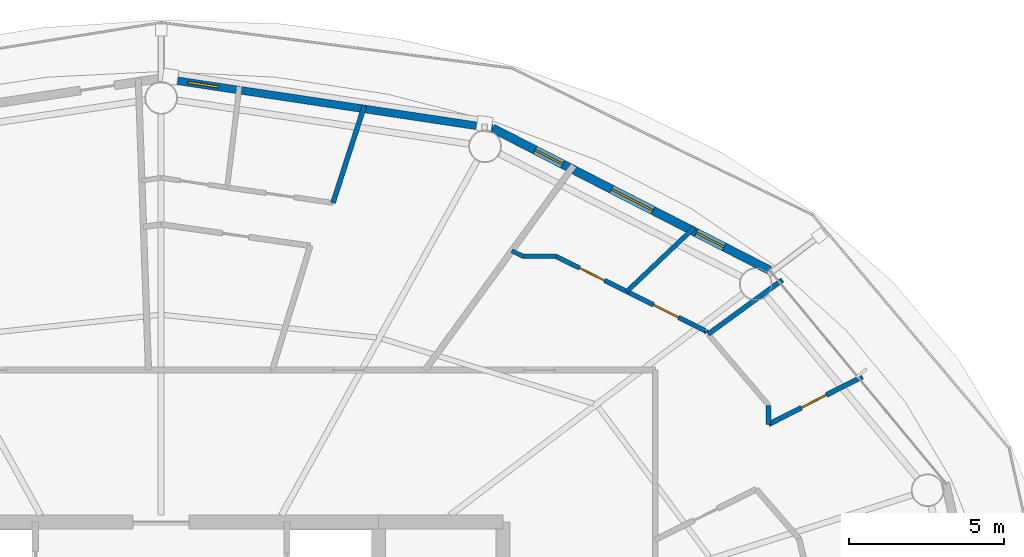
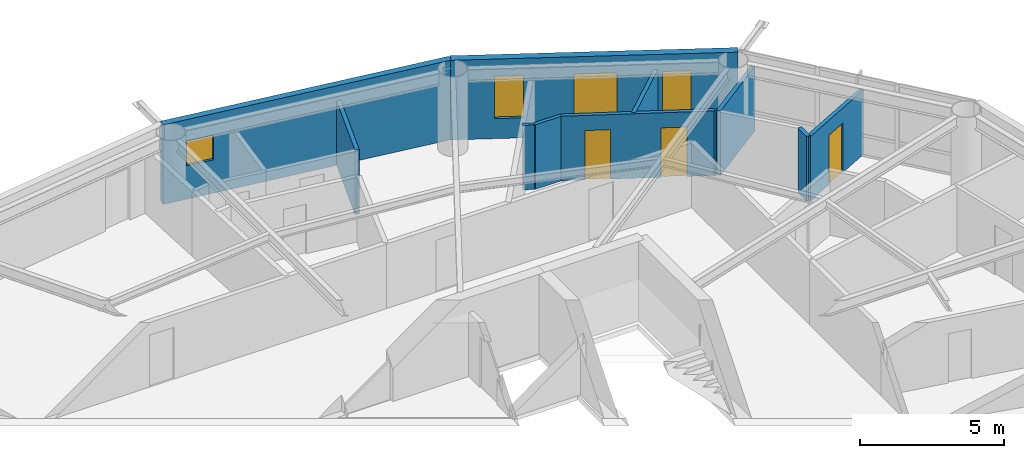
# One storey, part 25 of 29: 11 walls, 4 windows, 3 doors, 7 openings.
"""IFC4 building model written with IfcOpenShell, lengths in metres."""

from ifc_helpers import new_model, si_unit, direction, frame, frame_2d, origin, place, context, subcontext, project, spatial, rectangle, extrude, material, layer, layer_set, type_object, element, fill, save


model = new_model("IFC4")

# Units and contexts
model_context = context("Model", 3, precision=1e-05, world=origin(), true_north=direction((0.0, 1.0)))
body_context = subcontext(model_context, "Body", "Model", "MODEL_VIEW")
ifc_project = project(units=[si_unit("LENGTHUNIT", "METRE"), si_unit("AREAUNIT", "SQUARE_METRE"), si_unit("VOLUMEUNIT", "CUBIC_METRE"), si_unit("PLANEANGLEUNIT", "RADIAN"), si_unit("MASSUNIT", "GRAM", prefix="KILO")], contexts=[model_context])

# Site, building, storey
site_placement = place(None, origin())
site = spatial("IfcSite", under=ifc_project, at=site_placement, CompositionType="ELEMENT")
building_placement = place(site_placement, origin())
building = spatial("IfcBuilding", under=site, at=building_placement, Name="Sarneth Arch Tower", CompositionType="ELEMENT")
storey_placement = place(building_placement, frame((0.0, 0.0, 165.0)))
storey = spatial("IfcBuildingStorey", under=building, at=storey_placement, Name="L41", CompositionType="ELEMENT", Elevation=165.0)

# Wall, opening, window
ifc_material_1 = material(Name="Extruded terracotta rainscreen on Concrete C40/50 backing", Category="masonry")
ifc_layer_1 = layer(ifc_material_1, 0.25)
ifc_layer_set_1 = layer_set([ifc_layer_1], Name="Extruded terracotta rainscreen on Concrete C40/50 backing")
wall_type_1 = type_object("IfcWallType", Name="WALL-EXT-SPAND-250", PredefinedType="SOLIDWALL", material=ifc_layer_set_1)
wall_1_placement = place(storey_placement, frame((58.662841796875, 61.475341796875, 0.0), z_axis=(0.0, 0.0, 1.0), x_axis=(-0.988863993413, 0.148822049884, 0.0)))
wall_1 = element("IfcWall", 1, at=wall_1_placement, inside=storey, type_object=wall_type_1, Name="L41 Terracotta perimeter wall 04", PredefinedType="SOLIDWALL", context=body_context, shape_type="SweptSolid", body=[
    extrude(rectangle(XDim=10.782958984375, YDim=0.25, at=frame_2d((5.3916015625, 0.0))), origin(), (0.0, 0.0, 1.0), 3.3798828125),
])
opening_1_placement = place(wall_1_placement, frame((8.9091796875, 0.0, 1.419921875)))
opening_1 = element("IfcOpeningElement", 2, at=opening_1_placement, cuts=wall_1, Name="Opening W-14", PredefinedType="OPENING", context=body_context, shape_type="SweptSolid", body=[
    extrude(rectangle(XDim=1.0, YDim=1.050048828125, at=frame_2d((0.5, 0.52490234375))), frame((0.0, 0.135009765625, 0.0), z_axis=(0.0, -1.0, 0.0), x_axis=(1.0, 0.0, 0.0)), (0.0, 0.0, 1.0), 0.27001953125),
])
ifc_material_2 = material(Name="Thermally broken Aluminium 6063-T6 and low-e laminated IGU", Category="aluminium")
window_type_1 = type_object("IfcWindowType", Name="WIN-TWR-1000x1050", PartitioningType="SINGLE_PANEL", PredefinedType="WINDOW", material=ifc_material_2)
window_1_placement = place(opening_1_placement, origin())
window_1 = element("IfcWindow", 3, at=window_1_placement, inside=storey, type_object=window_type_1, Name="L41 Dwelling bedroom window 02", OverallHeight=1.050048828125, OverallWidth=1.0, PartitioningType="SINGLE_PANEL", PredefinedType="WINDOW", context=body_context, shape_type="SweptSolid", body=[
    extrude(rectangle(XDim=1.0, YDim=1.050048828125, at=frame_2d((0.5, 0.52490234375))), frame((0.0, 0.030029296875, 0.0), z_axis=(0.0, -1.0, 0.0), x_axis=(1.0, 0.0, 0.0)), (0.0, 0.0, 1.0), 0.06005859375),
])
fill(opening_1, window_1)

# Wall, openings, windows
ifc_material_3 = material(Name="Extruded terracotta rainscreen on Concrete C40/50 backing", Category="masonry")
ifc_layer_2 = layer(ifc_material_3, 0.280029296875)
ifc_layer_set_2 = layer_set([ifc_layer_2], Name="Extruded terracotta rainscreen on Concrete C40/50 backing")
wall_type_2 = type_object("IfcWallType", Name="WALL-EXT-TERRA-280", PredefinedType="SOLIDWALL", material=ifc_layer_set_2)
wall_2_placement = place(storey_placement, frame((67.576171875, 56.90576171875, 0.0), z_axis=(0.0, 0.0, 1.0), x_axis=(-0.889872523182, 0.456209263919, 0.0)))
wall_2 = element("IfcWall", 4, at=wall_2_placement, inside=storey, type_object=wall_type_2, Name="L41 Terracotta perimeter wall 03", PredefinedType="SOLIDWALL", context=body_context, shape_type="SweptSolid", body=[
    extrude(rectangle(XDim=10.016357421875, YDim=0.280029296875, at=frame_2d((5.00830078125, 0.0))), origin(), (0.0, 0.0, 1.0), 3.3798828125),
])
opening_2_placement = place(wall_2_placement, frame((4.212890625, 0.0, 0.85009765625)))
opening_2 = element("IfcOpeningElement", 5, at=opening_2_placement, cuts=wall_2, Name="Opening W-07", PredefinedType="OPENING", context=body_context, shape_type="SweptSolid", body=[
    extrude(rectangle(XDim=1.5, YDim=1.800048828125, at=frame_2d((0.75, 0.89990234375))), frame((0.0, 0.14990234375, 0.0), z_axis=(0.0, -1.0, 0.0), x_axis=(1.0, 0.0, 0.0)), (0.0, 0.0, 1.0), 0.300048828125),
])
opening_3_placement = place(wall_2_placement, frame((7.479248046875, 0.0, 0.85009765625)))
opening_3 = element("IfcOpeningElement", 6, at=opening_3_placement, cuts=wall_2, Name="Opening W-11", PredefinedType="OPENING", context=body_context, shape_type="SweptSolid", body=[
    extrude(rectangle(XDim=1.0, YDim=1.800048828125, at=frame_2d((0.5, 0.89990234375))), frame((0.0, 0.14990234375, 0.0), z_axis=(0.0, -1.0, 0.0), x_axis=(1.0, 0.0, 0.0)), (0.0, 0.0, 1.0), 0.300048828125),
])
opening_4_placement = place(wall_2_placement, frame((1.642822265625, 0.0, 0.85009765625)))
opening_4 = element("IfcOpeningElement", 7, at=opening_4_placement, cuts=wall_2, Name="Opening W-11", PredefinedType="OPENING", context=body_context, shape_type="SweptSolid", body=[
    extrude(rectangle(XDim=1.0, YDim=1.800048828125, at=frame_2d((0.5, 0.89990234375))), frame((0.0, 0.14990234375, 0.0), z_axis=(0.0, -1.0, 0.0), x_axis=(1.0, 0.0, 0.0)), (0.0, 0.0, 1.0), 0.300048828125),
])
ifc_material_4 = material(Name="Thermally broken Aluminium 6063-T6 and low-e laminated IGU", Category="aluminium")
window_type_2 = type_object("IfcWindowType", Name="WIN-TWR-1000x1800", PartitioningType="SINGLE_PANEL", PredefinedType="WINDOW", material=ifc_material_4)
window_2_placement = place(opening_3_placement, origin())
window_2 = element("IfcWindow", 8, at=window_2_placement, inside=storey, type_object=window_type_2, Name="L41 Exterior window 03B", OverallHeight=1.800048828125, OverallWidth=1.0, PartitioningType="SINGLE_PANEL", PredefinedType="WINDOW", context=body_context, shape_type="SweptSolid", body=[
    extrude(rectangle(XDim=1.0, YDim=1.800048828125, at=frame_2d((0.5, 0.89990234375))), frame((0.0, 0.030029296875, 0.0), z_axis=(0.0, -1.0, 0.0), x_axis=(1.0, 0.0, 0.0)), (0.0, 0.0, 1.0), 0.06005859375),
])
fill(opening_3, window_2)
window_3_placement = place(opening_4_placement, origin())
window_3 = element("IfcWindow", 9, at=window_3_placement, inside=storey, type_object=window_type_2, Name="L41 Dwelling bedroom window 01", OverallHeight=1.800048828125, OverallWidth=1.0, PartitioningType="SINGLE_PANEL", PredefinedType="WINDOW", context=body_context, shape_type="SweptSolid", body=[
    extrude(rectangle(XDim=1.0, YDim=1.800048828125, at=frame_2d((0.5, 0.89990234375))), frame((0.0, 0.030029296875, 0.0), z_axis=(0.0, -1.0, 0.0), x_axis=(1.0, 0.0, 0.0)), (0.0, 0.0, 1.0), 0.06005859375),
])
fill(opening_4, window_3)
ifc_material_5 = material(Name="Thermally broken Aluminium 6063-T6 and low-e laminated IGU", Category="aluminium")
window_type_3 = type_object("IfcWindowType", Name="WIN-TWR-1500x1800", PartitioningType="SINGLE_PANEL", PredefinedType="WINDOW", material=ifc_material_5)
window_4_placement = place(opening_2_placement, origin())
window_4 = element("IfcWindow", 10, at=window_4_placement, inside=storey, type_object=window_type_3, Name="L41 Exterior window 03A", OverallHeight=1.800048828125, OverallWidth=1.5, PartitioningType="SINGLE_PANEL", PredefinedType="WINDOW", context=body_context, shape_type="SweptSolid", body=[
    extrude(rectangle(XDim=1.5, YDim=1.800048828125, at=frame_2d((0.75, 0.89990234375))), frame((0.0, 0.030029296875, 0.0), z_axis=(0.0, -1.0, 0.0), x_axis=(1.0, 0.0, 0.0)), (0.0, 0.0, 1.0), 0.06005859375),
])
fill(opening_2, window_4)

# Walls
ifc_material_6 = material(Name="Apartment internal stud partition", Category="gypsum")
ifc_layer_3 = layer(ifc_material_6, 0.139892578125)
ifc_layer_set_3 = layer_set([ifc_layer_3], Name="Apartment internal stud partition")
wall_type_3 = type_object("IfcWallType", Name="WALL-PART-140", PredefinedType="PARTITIONING", material=ifc_layer_set_3)
wall_3_placement = place(storey_placement, frame((59.651123046875, 57.35009765625, 0.0), z_axis=(0.0, 0.0, 1.0), x_axis=(1.0, 0.0, 0.0)))
element("IfcWall", 11, at=wall_3_placement, inside=storey, type_object=wall_type_3, Name="L41 Interior partition W-L41-TP-032", PredefinedType="PARTITIONING", context=body_context, shape_type="SweptSolid", body=[
    extrude(rectangle(XDim=1.062255859375, YDim=0.139892578125, at=frame_2d((0.53125, 0.0))), origin(), (0.0, 0.0, 1.0), 2.739990234375),
])
wall_4_placement = place(storey_placement, frame((59.284912109375, 57.532470703125, 0.0), z_axis=(0.0, 0.0, 1.0), x_axis=(0.895142158028, -0.445780794698, 0.0)))
element("IfcWall", 12, at=wall_4_placement, inside=storey, type_object=wall_type_3, Name="L41 Interior partition W-L41-TP-031", PredefinedType="PARTITIONING", context=body_context, shape_type="SweptSolid", body=[
    extrude(rectangle(XDim=0.4091796875, YDim=0.139892578125, at=frame_2d((0.20458984375, 0.0))), origin(), (0.0, 0.0, 1.0), 2.739990234375),
])
ifc_material_7 = material(Name="Acoustic gypsum stud partition", Category="gypsum")
ifc_layer_4 = layer(ifc_material_7, 0.14990234375)
ifc_layer_set_4 = layer_set([ifc_layer_4], Name="Acoustic gypsum stud partition")
wall_type_4 = type_object("IfcWallType", Name="WALL-PART-150", PredefinedType="PARTITIONING", material=ifc_layer_set_4)
wall_5_placement = place(storey_placement, frame((62.983154296875, 56.218505859375, 0.0), z_axis=(0.0, 0.0, 1.0), x_axis=(0.725364351486, 0.688365133918, 0.0)))
element("IfcWall", 13, at=wall_5_placement, inside=storey, type_object=wall_type_4, Name="L41 Interior partition W-L41-TP-039", PredefinedType="PARTITIONING", context=body_context, shape_type="SweptSolid", body=[
    extrude(rectangle(XDim=2.9892578125, YDim=0.14990234375, at=frame_2d((1.49462890625, 0.0))), origin(), (0.0, 0.0, 1.0), 2.739990234375),
])

# Wall, openings, doors
wall_6_placement = place(storey_placement, frame((65.5048828125, 54.961181640625, 0.0), z_axis=(0.0, 0.0, 1.0), x_axis=(-0.894955531207, 0.446155350929, 0.0)))
wall_6 = element("IfcWall", 14, at=wall_6_placement, inside=storey, type_object=wall_type_4, Name="L41 Interior partition W-L41-TP-030", PredefinedType="PARTITIONING", context=body_context, shape_type="SweptSolid", body=[
    extrude(rectangle(XDim=5.35400390625, YDim=0.14990234375, at=frame_2d((2.677001953125, 0.0))), origin(), (0.0, 0.0, 1.0), 2.739990234375),
])
opening_5_placement = place(wall_6_placement, frame((0.958740234375, 0.0, 0.0)))
opening_5 = element("IfcOpeningElement", 15, at=opening_5_placement, cuts=wall_6, Name="Opening ID-01", PredefinedType="OPENING", context=body_context, shape_type="SweptSolid", body=[
    extrude(rectangle(XDim=0.89990234375, YDim=2.10009765625, at=frame_2d((0.449951171875, 1.050048828125))), frame((0.0, 0.0849609375, 0.0), z_axis=(0.0, -1.0, 0.0), x_axis=(1.0, 0.0, 0.0)), (0.0, 0.0, 1.0), 0.169921875),
])
opening_6_placement = place(wall_6_placement, frame((3.61865234375, 0.0, 0.0)))
opening_6 = element("IfcOpeningElement", 16, at=opening_6_placement, cuts=wall_6, Name="Opening ID-01", PredefinedType="OPENING", context=body_context, shape_type="SweptSolid", body=[
    extrude(rectangle(XDim=0.89990234375, YDim=2.10009765625, at=frame_2d((0.449951171875, 1.050048828125))), frame((0.0, 0.0849609375, 0.0), z_axis=(0.0, -1.0, 0.0), x_axis=(1.0, 0.0, 0.0)), (0.0, 0.0, 1.0), 0.169921875),
])
ifc_material_8 = material(Name="Engineered hardwood flush door", Category="wood")
door_type = type_object("IfcDoorType", Name="DR-INT-900", OperationType="SINGLE_SWING_LEFT", PredefinedType="DOOR", material=ifc_material_8)
door_1_placement = place(opening_5_placement, origin())
door_1 = element("IfcDoor", 17, at=door_1_placement, inside=storey, type_object=door_type, Name="L41 Interior door DR-L41-U1-BED1", OperationType="SINGLE_SWING_LEFT", OverallHeight=2.10009765625, OverallWidth=0.89990234375, PredefinedType="DOOR", context=body_context, shape_type="SweptSolid", body=[
    extrude(rectangle(XDim=0.89990234375, YDim=2.10009765625, at=frame_2d((0.449951171875, 1.050048828125))), frame((0.0, 0.02490234375, 0.0), z_axis=(0.0, -1.0, 0.0), x_axis=(1.0, 0.0, 0.0)), (0.0, 0.0, 1.0), 0.050048828125),
])
fill(opening_5, door_1)
door_2_placement = place(opening_6_placement, origin())
door_2 = element("IfcDoor", 18, at=door_2_placement, inside=storey, type_object=door_type, Name="L41 Interior door DR-L41-U1-BED2", OperationType="SINGLE_SWING_LEFT", OverallHeight=2.10009765625, OverallWidth=0.89990234375, PredefinedType="DOOR", context=body_context, shape_type="SweptSolid", body=[
    extrude(rectangle(XDim=0.89990234375, YDim=2.10009765625, at=frame_2d((0.449951171875, 1.050048828125))), frame((0.0, 0.02490234375, 0.0), z_axis=(0.0, -1.0, 0.0), x_axis=(1.0, 0.0, 0.0)), (0.0, 0.0, 1.0), 0.050048828125),
])
fill(opening_6, door_2)

# Wall
wall_7_placement = place(storey_placement, frame((65.559814453125, 54.896728515625, 0.0), z_axis=(0.0, 0.0, 1.0), x_axis=(-0.6481623323, 0.761502193685, 0.0)))
element("IfcWall", 19, at=wall_7_placement, inside=storey, type_object=wall_type_4, Name="L41 Interior partition W-L41-TP-029", PredefinedType="PARTITIONING", context=body_context, shape_type="SweptSolid", body=[
    extrude(rectangle(XDim=0.06884765625, YDim=0.14990234375, at=frame_2d((0.034423828125, 0.0))), origin(), (0.0, 0.0, 1.0), 2.739990234375),
])

# Wall, opening, door
ifc_material_9 = material(Name="Kitchen wet service chase wall", Category="gypsum")
ifc_layer_5 = layer(ifc_material_9, 0.159912109375)
ifc_layer_set_5 = layer_set([ifc_layer_5], Name="Kitchen wet service chase wall")
wall_type_5 = type_object("IfcWallType", Name="WALL-PLUMB-160", PredefinedType="PLUMBINGWALL", material=ifc_layer_set_5)
wall_8_placement = place(storey_placement, frame((70.5615234375, 53.479736328125, 0.0), z_axis=(0.0, 0.0, 1.0), x_axis=(-0.891269321093, -0.453474362317, 0.0)))
wall_8 = element("IfcWall", 20, at=wall_8_placement, inside=storey, type_object=wall_type_5, Name="L41 Interior partition W-L41-TP-023", PredefinedType="PLUMBINGWALL", context=body_context, shape_type="SweptSolid", body=[
    extrude(rectangle(XDim=3.37890625, YDim=0.159912109375, at=frame_2d((1.689453125, 0.0))), origin(), (0.0, 0.0, 1.0), 2.739990234375),
])
opening_7_placement = place(wall_8_placement, frame((1.299560546875, 0.0, 0.0)))
opening_7 = element("IfcOpeningElement", 21, at=opening_7_placement, cuts=wall_8, Name="Opening ID-01", PredefinedType="OPENING", context=body_context, shape_type="SweptSolid", body=[
    extrude(rectangle(XDim=0.89990234375, YDim=2.10009765625, at=frame_2d((0.449951171875, 1.050048828125))), frame((0.0, 0.08984375, 0.0), z_axis=(0.0, -1.0, 0.0), x_axis=(1.0, 0.0, 0.0)), (0.0, 0.0, 1.0), 0.179931640625),
])
door_3_placement = place(opening_7_placement, origin())
door_3 = element("IfcDoor", 22, at=door_3_placement, inside=storey, type_object=door_type, Name="L41 Interior door DR-L41-U1-KIT", OperationType="SINGLE_SWING_LEFT", OverallHeight=2.10009765625, OverallWidth=0.89990234375, PredefinedType="DOOR", context=body_context, shape_type="SweptSolid", body=[
    extrude(rectangle(XDim=0.89990234375, YDim=2.10009765625, at=frame_2d((0.449951171875, 1.050048828125))), frame((0.0, 0.02490234375, 0.0), z_axis=(0.0, -1.0, 0.0), x_axis=(1.0, 0.0, 0.0)), (0.0, 0.0, 1.0), 0.050048828125),
])
fill(opening_7, door_3)

# Walls
wall_9_placement = place(storey_placement, frame((54.5458984375, 62.214599609375, 0.0), z_axis=(0.0, 0.0, 1.0), x_axis=(-0.308058329214, -0.951367471486, 0.0)))
element("IfcWall", 23, at=wall_9_placement, inside=storey, type_object=wall_type_5, Name="L41 Interior partition W-L41-TP-041", PredefinedType="PLUMBINGWALL", context=body_context, shape_type="SweptSolid", body=[
    extrude(rectangle(XDim=3.303955078125, YDim=0.159912109375, at=frame_2d((1.65185546875, 0.0))), origin(), (0.0, 0.0, 1.0), 2.739990234375),
])
wall_10_placement = place(storey_placement, frame((65.60107421875, 54.847900390625, 0.0), z_axis=(0.0, 0.0, 1.0), x_axis=(0.807696422095, 0.589598583559, 0.0)))
element("IfcWall", 24, at=wall_10_placement, inside=storey, type_object=wall_type_5, Name="L41 Interior partition W-L41-TP-037", PredefinedType="PLUMBINGWALL", context=body_context, shape_type="SweptSolid", body=[
    extrude(rectangle(XDim=2.95849609375, YDim=0.159912109375, at=frame_2d((1.479248046875, 0.0))), origin(), (0.0, 0.0, 1.0), 2.739990234375),
])
wall_11_placement = place(storey_placement, frame((67.550048828125, 51.947509765625, 0.0), z_axis=(0.0, 0.0, 1.0), x_axis=(0.0, 1.0, 0.0)))
element("IfcWall", 25, at=wall_11_placement, inside=storey, type_object=wall_type_5, Name="L41 Interior partition W-L41-TP-024", PredefinedType="PLUMBINGWALL", context=body_context, shape_type="SweptSolid", body=[
    extrude(rectangle(XDim=0.609130859375, YDim=0.159912109375, at=frame_2d((0.3046875, 0.0))), origin(), (0.0, 0.0, 1.0), 2.739990234375),
])

save(model, "model.ifc")
